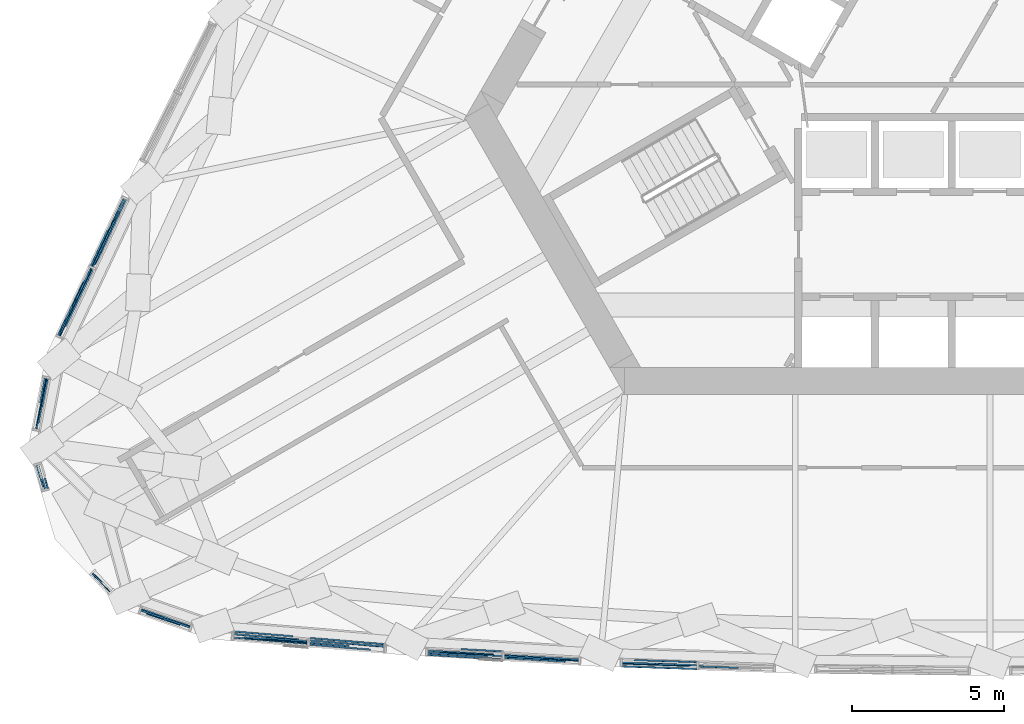
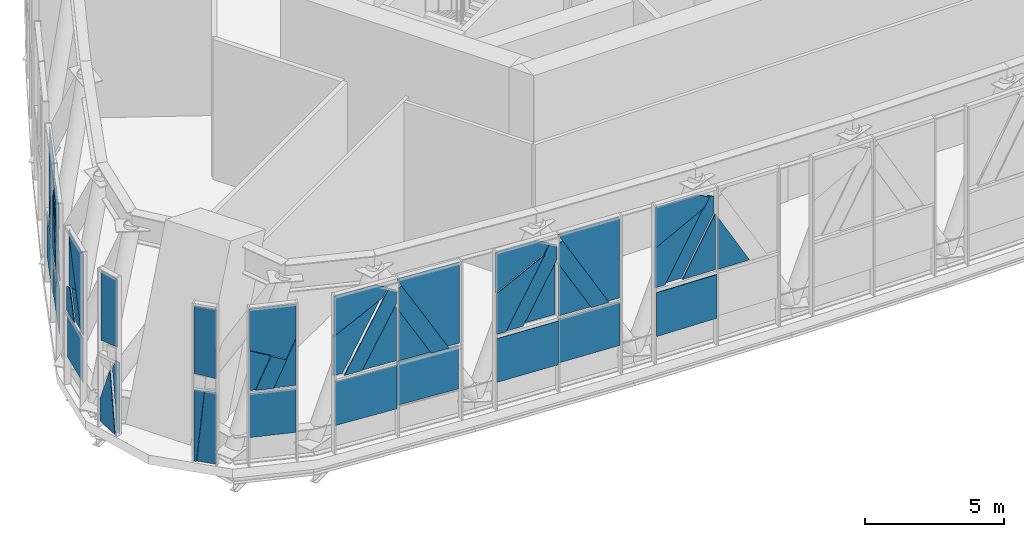
# One storey, part 12 of 33: 49 plates, 3 elements without a shape of their own.
"""IFC4 building model written with IfcOpenShell, lengths in metres."""

from ifc_helpers import new_model, si_unit, direction, frame, origin, place, context, subcontext, project, spatial, polyline, outline, extrude, material, layer, layer_set, type_object, element, aggregate, save


model = new_model("IFC4")

# Units and contexts
model_context = context("Model", 3, precision=1e-05, world=origin(), true_north=direction((0.0, 1.0)))
body_context = subcontext(model_context, "Body", "Model", "MODEL_VIEW")
ifc_project = project(units=[si_unit("LENGTHUNIT", "METRE"), si_unit("AREAUNIT", "SQUARE_METRE"), si_unit("VOLUMEUNIT", "CUBIC_METRE"), si_unit("PLANEANGLEUNIT", "RADIAN"), si_unit("MASSUNIT", "GRAM", prefix="KILO")], contexts=[model_context])

# Site, building, storey
site_placement = place(None, origin())
site = spatial("IfcSite", under=ifc_project, at=site_placement, CompositionType="ELEMENT")
building_placement = place(site_placement, origin())
building = spatial("IfcBuilding", under=site, at=building_placement, Name="Mestral Congress Tower", CompositionType="ELEMENT")
storey_placement = place(building_placement, frame((0.0, 0.0, 134.39990234375)))
storey = spatial("IfcBuildingStorey", under=building, at=storey_placement, Name="L32", CompositionType="ELEMENT", Elevation=134.39990234375)

# Curtain wall, plates
ifc_material_1 = material(Name="Clear low-emissivity double glazing", Category="glass")
curtain_wall_type = type_object("IfcCurtainWallType", Name="Facade sky lobby curtain wall", PredefinedType="USERDEFINED", material=ifc_material_1)
placement = place(storey_placement, origin())
curtain_wall_1 = element("IfcCurtainWall", 1, at=placement, inside=storey, type_object=curtain_wall_type, Name="Facade sky lobby curtain wall face 1", ObjectType="CURTAIN WALL", PredefinedType="USERDEFINED")
ifc_material_2 = material(Name="Anodised aluminium", Category="aluminium")
ifc_layer_1 = layer(ifc_material_2, 0.031982421875)
ifc_layer_set_1 = layer_set([ifc_layer_1], Name="Anodised aluminium")
plate_type_1 = type_object("IfcPlateType", Name="Facade sky lobby curtain wall brace cover panel", PredefinedType="CURTAIN_PANEL", material=ifc_layer_set_1)
plate_1_placement = place(storey_placement, frame((-22.435302734375, -21.20556640625, 3.130126953125), z_axis=(-0.081765695139, -0.996649491297, 0.002040244088), x_axis=(-0.000127290977, -0.002036655637, -0.999997917913)))
plate_1 = element("IfcPlate", 2, at=plate_1_placement, type_object=plate_type_1, Name="Facade sky lobby curtain wall brace cover panel", PredefinedType="CURTAIN_PANEL", context=body_context, shape_type="SweptSolid", body=[
    extrude(outline(polyline([(0.0, 0.0), (1.9179727433856482, 1.3552527156068805e-20), (1.917875037615939, -2.463326409889146), (-9.770576970923516e-05, -2.463326409889146), (0.0, 0.0)])), origin(), (0.0, 0.0, -1.0), 0.031982421875),
])
plate_2_placement = place(storey_placement, frame((-22.431884765625, -21.166259765625, 5.819091796875), z_axis=(-0.081906010452, -0.996637894013, 0.002076937265), x_axis=(-0.473113221375, 0.037047206491, -0.880222349325)))
plate_2 = element("IfcPlate", 3, at=plate_2_placement, type_object=plate_type_1, Name="Facade sky lobby curtain wall brace cover panel", PredefinedType="CURTAIN_PANEL", context=body_context, shape_type="SweptSolid", body=[
    extrude(outline(polyline([(0.0, 0.0), (2.8959415701438793, 2.220446049250313e-16), (3.2312049291240106, -0.6218564333681975), (-0.5014681729991254, -0.6219879993595873), (-0.5015358336180039, -0.2704854106180785), (0.0, 0.0)])), origin(), (0.0, 0.0, -1.0), 0.031982421875),
])
plate_3_placement = place(storey_placement, frame((-19.90478515625, -21.224609375, 3.130126953125), z_axis=(-0.08176167669, -0.99665006259, 0.001918583688), x_axis=(-0.000254156544, -0.001904178762, -0.999998154752)))
plate_3 = element("IfcPlate", 4, at=plate_3_placement, type_object=plate_type_1, Name="Facade sky lobby curtain wall brace cover panel", PredefinedType="CURTAIN_PANEL", context=body_context, shape_type="SweptSolid", body=[
    extrude(outline(polyline([(0.0, 0.0), (1.9179723082830478, 0.0), (1.9182127503552557, -2.4633264000720168), (0.00024050412214545483, -2.4635697232841385), (0.0, 0.0)])), origin(), (0.0, 0.0, -1.0), 0.031982421875),
])
plate_4_placement = place(storey_placement, frame((-22.377197265625, -21.233642578125, 6.497802734375), z_axis=(-0.081736087106, -0.996651926836, 0.002036860067), x_axis=(0.864090235632, -0.069845895867, 0.498467266243)))
plate_4 = element("IfcPlate", 5, at=plate_4_placement, type_object=plate_type_1, Name="Facade sky lobby curtain wall brace cover panel", PredefinedType="CURTAIN_PANEL", context=body_context, shape_type="SweptSolid", body=[
    extrude(outline(polyline([(0.0, 0.0), (0.12685400146654524, 0.0), (0.12393192353799454, -3.794596751440589), (-0.49721723521005945, -3.437438609651242), (-0.4951343169299804, -0.860941771760009), (0.0, 0.0)])), origin(), (0.0, 0.0, -1.0), 0.031982421875),
])
plate_5_placement = place(storey_placement, frame((-16.043701171875, -21.715576171875, 3.130126953125), z_axis=(-0.058448492268, -0.998288339933, 0.00204061379), x_axis=(-0.000127290977, -0.002036655637, -0.999997917913)))
plate_5 = element("IfcPlate", 6, at=plate_5_placement, type_object=plate_type_1, Name="Facade sky lobby curtain wall brace cover panel", PredefinedType="CURTAIN_PANEL", context=body_context, shape_type="SweptSolid", body=[
    extrude(outline(polyline([(0.0, 0.0), (1.9179727433856482, 2.0328790734103208e-20), (1.9179925082932612, -2.460260703781247), (1.976490761293687e-05, -2.4602607037812465), (0.0, 0.0)])), origin(), (0.0, 0.0, -1.0), 0.031982421875),
])
plate_6_placement = place(storey_placement, frame((-16.037841796875, -21.616455078125, 5.773681640625), z_axis=(-0.058338559725, -0.998294999034, 0.001925448618), x_axis=(-0.47739120886, 0.026203871545, -0.878300057395)))
plate_6 = element("IfcPlate", 7, at=plate_6_placement, type_object=plate_type_1, Name="Facade sky lobby curtain wall brace cover panel", PredefinedType="CURTAIN_PANEL", context=body_context, shape_type="SweptSolid", body=[
    extrude(outline(polyline([(0.0, 0.0), (2.8505771658836307, 4.440892098500626e-16), (3.188722632268942, -0.6211869554027831), (-0.5469524176668448, -0.6211079663703887), (-0.5469756901991519, -0.2978293639218027), (0.0, 0.0)])), origin(), (0.0, 0.0, -1.0), 0.031982421875),
])
plate_7_placement = place(storey_placement, frame((-13.5224609375, -21.76904296875, 3.130126953125), z_axis=(-0.058451387925, -0.99828817799, 0.002036893653), x_axis=(-0.000127073528, -0.002032941838, -0.999997925498)))
plate_7 = element("IfcPlate", 8, at=plate_7_placement, type_object=plate_type_1, Name="Facade sky lobby curtain wall brace cover panel", PredefinedType="CURTAIN_PANEL", context=body_context, shape_type="SweptSolid", body=[
    extrude(outline(polyline([(0.0, 0.0), (1.9179727433723763, 0.0), (1.9179924772296348, -2.46001698056584), (1.9764881069014373e-05, -2.4602607037709), (0.0, 0.0)])), origin(), (0.0, 0.0, -1.0), 0.031982421875),
])
plate_8_placement = place(storey_placement, frame((-15.981201171875, -21.672607421875, 6.474853515625), z_axis=(-0.058570101474, -0.998281418044, 0.001937421137), x_axis=(0.868176009687, -0.049978479774, 0.493733296186)))
plate_8 = element("IfcPlate", 9, at=plate_8_placement, type_object=plate_type_1, Name="Facade sky lobby curtain wall brace cover panel", PredefinedType="CURTAIN_PANEL", context=body_context, shape_type="SweptSolid", body=[
    extrude(outline(polyline([(0.0, 0.0), (0.16169464923233298, -1.3877787807814457e-17), (0.16444421429716116, -3.778729332627302), (-0.45634487074156094, -3.4262682440269843), (-0.45796793851298634, -0.8068205191558192), (0.0, 0.0)])), origin(), (0.0, 0.0, -1.0), 0.031982421875),
])
plate_9_placement = place(storey_placement, frame((-9.642578125, -22.039794921875, 3.130126953125), z_axis=(-0.035029552584, -0.999384204182, 0.002035405711), x_axis=(0.0, -0.002036655654, -0.999997926015)))
plate_9 = element("IfcPlate", 10, at=plate_9_placement, type_object=plate_type_1, Name="Facade sky lobby curtain wall brace cover panel", PredefinedType="CURTAIN_PANEL", context=body_context, shape_type="SweptSolid", body=[
    extrude(outline(polyline([(0.0, 0.0), (1.917972727847199, 0.0), (1.9177972055215664, -2.4602501467345066), (-0.00017552232563247701, -2.4602501467345066), (0.0, 0.0)])), origin(), (0.0, 0.0, -1.0), 0.031982421875),
])
plate_10_placement = place(storey_placement, frame((-9.634765625, -21.81494140625, 5.726318359375), z_axis=(-0.03507955487, -0.999382533056, 0.001994354959), x_axis=(-0.481225065563, 0.01514252623, -0.876466280112)))
plate_10 = element("IfcPlate", 11, at=plate_10_placement, type_object=plate_type_1, Name="Facade sky lobby curtain wall brace cover panel", PredefinedType="CURTAIN_PANEL", context=body_context, shape_type="SweptSolid", body=[
    extrude(outline(polyline([(0.0, 0.0), (2.8025022719580694, 2.220446049250313e-16), (3.1431168190822634, -0.6200668676428391), (-0.5969715231913139, -0.6200987041401281), (-0.5968920819497244, -0.32765432478420065), (0.0, 0.0)])), origin(), (0.0, 0.0, -1.0), 0.031982421875),
])

curtain_wall_2 = element("IfcCurtainWall", 12, at=placement, inside=storey, type_object=curtain_wall_type, Name="Facade sky lobby curtain wall face 3", ObjectType="CURTAIN WALL", PredefinedType="USERDEFINED")
plate_11_placement = place(storey_placement, frame((-29.556396484375, -8.7724609375, 3.130126953125), z_axis=(-0.904003165932, 0.42752084818, 0.002049477068), x_axis=(-0.001857351931, 0.000866439002, -0.999997899761)))
plate_11 = element("IfcPlate", 13, at=plate_11_placement, type_object=plate_type_1, Name="Facade sky lobby curtain wall brace cover panel", PredefinedType="CURTAIN_PANEL", context=body_context, shape_type="SweptSolid", body=[
    extrude(outline(polyline([(0.0, 0.0), (1.9179730043646805, 4.0318768289304696e-19), (1.9179461913538762, -2.463320069636387), (-2.635955574302679e-05, -2.4632156942149925), (0.0, 0.0)])), origin(), (0.0, 0.0, -1.0), 0.031982421875),
])
plate_12_placement = place(storey_placement, frame((-29.521484375, -8.7890625, 5.504638671875), z_axis=(-0.903945532678, 0.427642558694, 0.002077485286), x_axis=(0.211243987428, 0.450738262258, -0.867300983922)))
plate_12 = element("IfcPlate", 14, at=plate_12_placement, type_object=plate_type_1, Name="Facade sky lobby curtain wall brace cover panel", PredefinedType="CURTAIN_PANEL", context=body_context, shape_type="SweptSolid", body=[
    extrude(outline(polyline([(0.0, 0.0), (2.576521159027551, 2.220446049250313e-16), (2.9331910354905135, -0.6214396774176463), (-0.8613899067396906, -0.6213835204439402), (-0.861553029895961, -0.49456005646488227), (0.0, 0.0)])), origin(), (0.0, 0.0, -1.0), 0.031982421875),
])
plate_13_placement = place(storey_placement, frame((-30.6044921875, -11.068115234375, 3.130126953125), z_axis=(-0.904022423087, 0.427480398068, 0.0019919395), x_axis=(-0.001782073856, 0.000891036928, -0.999998015131)))
plate_13 = element("IfcPlate", 15, at=plate_13_placement, type_object=plate_type_1, Name="Facade sky lobby curtain wall brace cover panel", PredefinedType="CURTAIN_PANEL", context=body_context, shape_type="SweptSolid", body=[
    extrude(outline(polyline([(0.0, 0.0), (1.9179725569242465, -4.0657581468206416e-20), (1.918080238388927, -2.4632156944742225), (0.00010768146468056344, -2.463215694474223), (0.0, 0.0)])), origin(), (0.0, 0.0, -1.0), 0.031982421875),
])
plate_14_placement = place(storey_placement, frame((-30.10791015625, -10.09814453125, 3.27001953125), z_axis=(-0.904023555196, 0.427478043554, 0.001983413657), x_axis=(0.204427909564, 0.428236650154, 0.880240081601)))
plate_14 = element("IfcPlate", 16, at=plate_14_placement, type_object=plate_type_1, Name="Facade sky lobby curtain wall brace cover panel", PredefinedType="CURTAIN_PANEL", context=body_context, shape_type="SweptSolid", body=[
    extrude(outline(polyline([(0.0, 0.0), (2.7730139180173676, -2.220446049250313e-16), (3.1016301505866424, -0.5300258919935805), (2.9536704551670456, -0.6218445093813607), (-0.33524033225903127, -0.6218688472921208), (0.0, 0.0)])), origin(), (0.0, 0.0, -1.0), 0.031982421875),
])

curtain_wall_3 = element("IfcCurtainWall", 17, at=placement, inside=storey, type_object=curtain_wall_type, Name="Facade sky lobby curtain wall corner 3", ObjectType="CURTAIN WALL", PredefinedType="USERDEFINED")
plate_15_placement = place(storey_placement, frame((-31.3857421875, -14.1279296875, 3.130126953125), z_axis=(-0.981697804288, 0.190434719682, 0.00200962578), x_axis=(-0.001970702135, 0.000393771489, -0.999997980637)))
plate_15 = element("IfcPlate", 18, at=plate_15_placement, type_object=plate_type_1, Name="Facade sky lobby curtain wall brace cover panel", PredefinedType="CURTAIN_PANEL", context=body_context, shape_type="SweptSolid", body=[
    extrude(outline(polyline([(0.0, 0.0), (1.9179723822575587, -6.437450399132683e-20), (1.9179917817334786, -1.6992873912891162), (1.8918347469007598e-05, -1.6993338842399115), (0.0, 0.0)])), origin(), (0.0, 0.0, -1.0), 0.031982421875),
])
plate_16_placement = place(storey_placement, frame((-31.185302734375, -13.275390625, 3.27001953125), z_axis=(-0.981710029597, 0.19037064764, 0.002105779167), x_axis=(0.073161931132, 0.367026390265, 0.927328938771)))
plate_16 = element("IfcPlate", 19, at=plate_16_placement, type_object=plate_type_1, Name="Facade sky lobby curtain wall brace cover panel", PredefinedType="CURTAIN_PANEL", context=body_context, shape_type="SweptSolid", body=[
    extrude(outline(polyline([(0.0, 0.0), (1.283718510794276, -1.1102230246251565e-16), (1.2837219698805185, -0.6190833658252018), (-0.2497190359378746, -0.6187753206843056), (0.0, 0.0)])), origin(), (0.0, 0.0, -1.0), 0.031982421875),
])
plate_17_placement = place(storey_placement, frame((-31.0322265625, -15.99951171875, 0.0), z_axis=(-0.959571222828, -0.281458698897, 0.002017209605), x_axis=(-0.024667288175, 0.091232570404, 0.995524054452)))
plate_17 = element("IfcPlate", 20, at=plate_17_placement, type_object=plate_type_1, Name="Facade sky lobby curtain wall brace cover panel", PredefinedType="CURTAIN_PANEL", context=body_context, shape_type="SweptSolid", body=[
    extrude(outline(polyline([(0.0, 0.0), (2.708411585832827, -5.551115123125783e-17), (3.1267498514386207, -0.18385756143878657), (3.1077565551798974, -0.3839742014666778), (0.00011892369164288527, -0.08917972260087713), (0.0, 0.0)])), origin(), (0.0, 0.0, -1.0), 0.031982421875),
])
plate_18_placement = place(storey_placement, frame((-29.52587890625, -18.89892578125, 3.130126953125), z_axis=(-0.723352763614, -0.690475798981, 0.001987559909), x_axis=(0.690477162745, -0.723354192445, -4.5249e-08)))
plate_18 = element("IfcPlate", 21, at=plate_18_placement, type_object=plate_type_1, Name="Facade sky lobby curtain wall brace cover panel", PredefinedType="CURTAIN_PANEL", context=body_context, shape_type="SweptSolid", body=[
    extrude(outline(polyline([(0.0, 0.0), (0.38576768225569213, -1.0842021724855044e-19), (0.08890241385228652, -3.1301331317385133), (0.00014462038409020816, -3.121588214457586), (0.0, 0.0)])), origin(), (0.0, 0.0, -1.0), 0.031982421875),
])
plate_19_placement = place(storey_placement, frame((-26.321533203125, -20.670654296875, 3.130126953125), z_axis=(-0.325994450892, -0.94536954027, 0.002012540142), x_axis=(-0.000636454923, -0.001909364768, -0.999997974624)))
plate_19 = element("IfcPlate", 22, at=plate_19_placement, type_object=plate_type_1, Name="Facade sky lobby curtain wall brace cover panel", PredefinedType="CURTAIN_PANEL", context=body_context, shape_type="SweptSolid", body=[
    extrude(outline(polyline([(0.0, 0.0), (1.9179726346164996, 4.0657581468206416e-19), (1.9179373623344038, -1.6992741889964562), (-3.527228209572182e-05, -1.6992741889964562), (0.0, 0.0)])), origin(), (0.0, 0.0, -1.0), 0.031982421875),
])
plate_20_placement = place(storey_placement, frame((-27.742431640625, -20.21630859375, 3.27001953125), z_axis=(-0.325949088892, -0.945385241731, 0.001983977676), x_axis=(0.354245998001, -0.120190396006, 0.927396377828)))
plate_20 = element("IfcPlate", 23, at=plate_20_placement, type_object=plate_type_1, Name="Facade sky lobby curtain wall brace cover panel", PredefinedType="CURTAIN_PANEL", context=body_context, shape_type="SweptSolid", body=[
    extrude(outline(polyline([(0.0, 0.0), (1.5334533680136522, 1.1102230246251565e-16), (1.5332926427040654, -0.6189679195185485), (0.24962434122940758, -0.6188620475124249), (0.0, 0.0)])), origin(), (0.0, 0.0, -1.0), 0.031982421875),
])

# Plate
ifc_layer_2 = layer(ifc_material_1, 0.031982421875)
ifc_layer_set_2 = layer_set([ifc_layer_2], Name="Clear low-emissivity double glazing")
plate_type_2 = type_object("IfcPlateType", Name="Facade sky lobby curtain wall panel", PredefinedType="CURTAIN_PANEL", material=ifc_layer_set_2)
plate_21_placement = place(storey_placement, frame((-23.79931640625, -21.025146484375, 3.27001953125), z_axis=(-0.081665260202, -0.996657886865, 0.00196005763), x_axis=(0.473125226078, -0.037036399759, 0.880216351553)))
plate_21 = element("IfcPlate", 24, at=plate_21_placement, type_object=plate_type_2, Name="Sky lobby glass unit", PredefinedType="CURTAIN_PANEL", context=body_context, shape_type="SweptSolid", body=[
    extrude(outline(polyline([(0.0, 0.0), (2.77308846974367, 0.0), (2.7111486048032116, -0.09963998414177322), (0.6521653472129638, -1.2096181370338899), (0.0, 0.0)])), origin(), (0.0, 0.0, -1.0), 0.031982421875),
])

plate_22_placement = place(storey_placement, frame((-24.88134765625, -20.89501953125, 6.81005859375), z_axis=(-0.081837970662, -0.996643474963, 0.002080954337), x_axis=(0.996645632882, -0.081838147936, -3.7926e-08)))
plate_22 = element("IfcPlate", 25, at=plate_22_placement, type_object=plate_type_2, Name="Sky lobby glass unit", PredefinedType="CURTAIN_PANEL", context=body_context, shape_type="SweptSolid", body=[
    extrude(outline(polyline([(0.0, 0.0), (1.6821587588953522, 5.421010862427522e-20), (2.1539931417369798, -0.2543948988854248), (1.9433978440055182, -0.6450208928793416), (5.6445320916235954e-05, -1.7602577316648638), (0.0, 0.0)])), origin(), (0.0, 0.0, -1.0), 0.031982421875),
])

plate_23_placement = place(storey_placement, frame((-22.93701171875, -20.963623046875, 6.1650390625), z_axis=(-0.08178638511, -0.996647799638, 0.002037323483), x_axis=(-0.473080909914, 0.037022348643, -0.880240761597)))
plate_23 = element("IfcPlate", 26, at=plate_23_placement, type_object=plate_type_2, Name="Sky lobby glass unit", PredefinedType="CURTAIN_PANEL", context=body_context, shape_type="SweptSolid", body=[
    extrude(outline(polyline([(0.0, 0.0), (3.288894956510127, 0.0), (3.4705756993863788, -0.33701775256449396), (1.903840841322364, -1.1814055380825104), (0.0, 0.0)])), origin(), (0.0, 0.0, -1.0), 0.031982421875),
])

plate_24_placement = place(storey_placement, frame((-22.366455078125, -21.101318359375, 6.81005859375), z_axis=(-0.081678075679, -0.996656633998, 0.002060548799), x_axis=(0.996658749807, -0.081678249448, -1.81143e-07)))
plate_24 = element("IfcPlate", 27, at=plate_24_placement, type_object=plate_type_2, Name="Sky lobby glass unit", PredefinedType="CURTAIN_PANEL", context=body_context, shape_type="SweptSolid", body=[
    extrude(outline(polyline([(0.0, 0.0), (2.4633264023083323, 0.0), (2.4634186821688497, -3.5400461694980545), (1.9989838388342, -3.540046444718139), (1.995132737379273e-05, -0.057129286348360626), (0.0, 0.0)])), origin(), (0.0, 0.0, -1.0), 0.031982421875),
])

plate_25_placement = place(storey_placement, frame((-22.37255859375, -21.17626953125, 3.27001953125), z_axis=(-0.081863588813, -0.996641598685, 0.00196890772), x_axis=(0.000109253585, 0.001966564524, 0.999998060342)))
plate_25 = element("IfcPlate", 28, at=plate_25_placement, type_object=plate_type_2, Name="Sky lobby glass unit", PredefinedType="CURTAIN_PANEL", context=body_context, shape_type="SweptSolid", body=[
    extrude(outline(polyline([(0.0, 0.0), (2.23462347503045, 2.710505431213761e-20), (-6.68164622947582e-05, -1.2823804410038329), (0.0, 0.0)])), origin(), (0.0, 0.0, -1.0), 0.031982421875),
])

plate_26_placement = place(storey_placement, frame((-16.3193359375, -21.564453125, 6.551025390625), z_axis=(-0.058461769249, -0.99828771943, 0.001962338536), x_axis=(-0.477499565749, 0.02623699, -0.87824016366)))
plate_26 = element("IfcPlate", 29, at=plate_26_placement, type_object=plate_type_2, Name="Sky lobby glass unit", PredefinedType="CURTAIN_PANEL", context=body_context, shape_type="SweptSolid", body=[
    extrude(outline(polyline([(0.0, 0.0), (0.44839547818974346, -2.7755575615628914e-17), (2.3661874890760197, -1.189428563408672), (0.8131592451565852, -2.0350272885667122), (0.0001086015977611321, -0.5418653074962956), (0.0, 0.0)])), origin(), (0.0, 0.0, -1.0), 0.031982421875),
])

plate_27_placement = place(storey_placement, frame((-18.49609375, -21.51171875, 3.27001953125), z_axis=(-0.058455988788, -0.998287965535, 0.002008791258), x_axis=(-3.194019e-06, 0.002012419231, 0.999997975077)))
plate_27 = element("IfcPlate", 30, at=plate_27_placement, type_object=plate_type_2, Name="Sky lobby glass unit", PredefinedType="CURTAIN_PANEL", context=body_context, shape_type="SweptSolid", body=[
    extrude(outline(polyline([(0.0, 0.0), (1.7717322977109866, 2.710505431213761e-20), (2.8869758028983297, -1.9621046807085893), (-4.6935900619572284e-05, -0.39006565527204334), (0.0, 0.0)])), origin(), (0.0, 0.0, -1.0), 0.031982421875),
])

plate_28_placement = place(storey_placement, frame((-17.389892578125, -21.38818359375, 3.27001953125), z_axis=(-0.058309038803, -0.99829657351, 0.002001827113), x_axis=(0.477428935213, -0.026124755374, 0.878281907464)))
plate_28 = element("IfcPlate", 31, at=plate_28_placement, type_object=plate_type_2, Name="Sky lobby glass unit", PredefinedType="CURTAIN_PANEL", context=body_context, shape_type="SweptSolid", body=[
    extrude(outline(polyline([(0.0, 0.0), (2.780308089918506, 0.0), (2.7442227038475613, -0.057792383911501544), (0.6516670229961112, -1.1970318657042573), (0.0, 0.0)])), origin(), (0.0, 0.0, -1.0), 0.031982421875),
])

plate_29_placement = place(storey_placement, frame((-15.975830078125, -21.583984375, 6.81005859375), z_axis=(-0.058446626828, -0.998288511319, 0.00200997062), x_axis=(0.998290527857, -0.058446744921, -1.5422e-08)))
plate_29 = element("IfcPlate", 32, at=plate_29_placement, type_object=plate_type_2, Name="Sky lobby glass unit", PredefinedType="CURTAIN_PANEL", context=body_context, shape_type="SweptSolid", body=[
    extrude(outline(polyline([(0.0, 0.0), (2.460016980582924, 0.0), (2.45994339615187, -3.5400461754304513), (2.008489157168792, -3.5400462203321355), (0.0, 0.0)])), origin(), (0.0, 0.0, -1.0), 0.031982421875),
])

plate_30_placement = place(storey_placement, frame((-15.978271484375, -21.625, 3.27001953125), z_axis=(-0.058456599676, -0.998287866729, 0.00203987628), x_axis=(0.000107215388, 0.002037092363, 0.999997919378)))
plate_30 = element("IfcPlate", 33, at=plate_30_placement, type_object=plate_type_2, Name="Sky lobby glass unit", PredefinedType="CURTAIN_PANEL", context=body_context, shape_type="SweptSolid", body=[
    extrude(outline(polyline([(0.0, 0.0), (2.27710434716927, 0.0), (-1.560067650404083e-05, -1.2946944690620075), (0.0, 0.0)])), origin(), (0.0, 0.0, -1.0), 0.031982421875),
])

plate_31_placement = place(storey_placement, frame((-12.09814453125, -21.8623046875, 6.81005859375), z_axis=(-0.035089730934, -0.999382251161, 0.001956232801), x_axis=(0.999384163393, -0.035089798507, -2.20385e-07)))
plate_31 = element("IfcPlate", 34, at=plate_31_placement, type_object=plate_type_2, Name="Sky lobby glass unit", PredefinedType="CURTAIN_PANEL", context=body_context, shape_type="SweptSolid", body=[
    extrude(outline(polyline([(0.0, 0.0), (1.7269003932747145, 1.3552527156068805e-20), (2.2040131358223625, -0.2619629655279718), (1.987109987715006, -0.6572274462123961), (0.0001288943263052875, -1.777103368526097), (0.0, 0.0)])), origin(), (0.0, 0.0, -1.0), 0.031982421875),
])

plate_32_placement = place(storey_placement, frame((-10.111083984375, -21.8994140625, 6.15283203125), z_axis=(-0.035182343406, -0.999378778453, 0.002063950174), x_axis=(-0.481271054514, 0.015132713316, -0.876441197728)))
plate_32 = element("IfcPlate", 35, at=plate_32_placement, type_object=plate_type_2, Name="Sky lobby glass unit", PredefinedType="CURTAIN_PANEL", context=body_context, shape_type="SweptSolid", body=[
    extrude(outline(polyline([(0.0, 0.0), (3.2892251596084057, -2.220446049250313e-16), (3.483428335481007, -0.35349121057122157), (1.938253489497212, -1.202257185669795), (0.0, 0.0)])), origin(), (0.0, 0.0, -1.0), 0.031982421875),
])

plate_33_placement = place(storey_placement, frame((-9.645751953125, -21.91650390625, 5.712890625), z_axis=(-0.035062130732, -0.999383148566, 0.001992322826), x_axis=(0.491251819265, -0.018970974362, -0.870810973863)))
plate_33 = element("IfcPlate", 36, at=plate_33_placement, type_object=plate_type_2, Name="Sky lobby glass unit", PredefinedType="CURTAIN_PANEL", context=body_context, shape_type="SweptSolid", body=[
    extrude(outline(polyline([(0.0, 0.0), (0.015420251930765544, -1.734723475976807e-18), (2.13097425525207, -1.1944236409083884), (1.467562036581661, -2.369546981720177), (0.0, 0.0)])), origin(), (0.0, 0.0, -1.0), 0.031982421875),
])

plate_34_placement = place(storey_placement, frame((-9.57958984375, -21.957763671875, 3.27001953125), z_axis=(-0.035239223247, -0.999376913239, 0.001995602875), x_axis=(0.0, 0.001996843102, 0.999998006307)))
plate_34 = element("IfcPlate", 37, at=plate_34_placement, type_object=plate_type_2, Name="Sky lobby glass unit", PredefinedType="CURTAIN_PANEL", context=body_context, shape_type="SweptSolid", body=[
    extrude(outline(polyline([(0.0, 0.0), (2.323002678229586, 2.710505431213761e-20), (-9.21394888582534e-05, -1.3094070152421664), (0.0, 0.0)])), origin(), (0.0, 0.0, -1.0), 0.031982421875),
])

aggregate(curtain_wall_1, [plate_1, plate_21, plate_22, plate_23, plate_2, plate_3, plate_24, plate_25, plate_4, plate_5, plate_26, plate_27, plate_28, plate_6, plate_7, plate_29, plate_30, plate_8, plate_9, plate_31, plate_32, plate_33, plate_10, plate_34])

plate_35_placement = place(storey_placement, frame((-28.441650390625, -6.57470703125, 3.27001953125), z_axis=(-0.903965524535, 0.427600380801, 0.002060289006), x_axis=(0.001870397113, -0.000864148261, 0.999997877429)))
plate_35 = element("IfcPlate", 38, at=plate_35_placement, type_object=plate_type_2, Name="Sky lobby glass unit", PredefinedType="CURTAIN_PANEL", context=body_context, shape_type="SweptSolid", body=[
    extrude(outline(polyline([(0.0, 0.0), (3.540045952837884, -1.6263032587282567e-19), (3.54001078710174, -1.9195723912220926), (3.2909785313355764, -2.3533323845768357), (-9.041110535109708e-06, -0.4643524128568865), (0.0, 0.0)])), origin(), (0.0, 0.0, -1.0), 0.031982421875),
])

plate_36_placement = place(storey_placement, frame((-29.5869140625, -8.758056640625, 3.27001953125), z_axis=(-0.904069203351, 0.427381630137, 0.001953912411), x_axis=(0.427382445963, 0.904070929122, 0.0)))
plate_36 = element("IfcPlate", 39, at=plate_36_placement, type_object=plate_type_2, Name="Sky lobby glass unit", PredefinedType="CURTAIN_PANEL", context=body_context, shape_type="SweptSolid", body=[
    extrude(outline(polyline([(0.0, 0.0), (1.2824478597619935, 0.0), (-9.630085389789609e-05, -2.2346234062723154), (0.0, 0.0)])), origin(), (0.0, 0.0, -1.0), 0.031982421875),
])

plate_37_placement = place(storey_placement, frame((-30.6318359375, -11.05517578125, 5.0498046875), z_axis=(-0.904009654703, 0.427507204365, 0.002033327153), x_axis=(0.37170385787, 0.783640149353, 0.497739247364)))
plate_37 = element("IfcPlate", 40, at=plate_37_placement, type_object=plate_type_2, Name="Sky lobby glass unit", PredefinedType="CURTAIN_PANEL", context=body_context, shape_type="SweptSolid", body=[
    extrude(outline(polyline([(0.0, 0.0), (2.240599290844846, 0.0), (2.8632142449918905, -0.3863834879754766), (0.8761792682494254, -1.5267009911220757), (0.0, 0.0)])), origin(), (0.0, 0.0, -1.0), 0.031982421875),
])

plate_38_placement = place(storey_placement, frame((-30.502197265625, -10.693115234375, 3.27001953125), z_axis=(-0.903999459431, 0.427529005408, 0.001981636468), x_axis=(0.2044312644, 0.428184721578, 0.880264563835)))
plate_38 = element("IfcPlate", 41, at=plate_38_placement, type_object=plate_type_2, Name="Sky lobby glass unit", PredefinedType="CURTAIN_PANEL", context=body_context, shape_type="SweptSolid", body=[
    extrude(outline(polyline([(0.0, 0.0), (3.288806243694008, 0.0), (1.3851343922945007, -1.1812964813051043), (-0.18156901797461242, -0.3368511931899788), (0.0, 0.0)])), origin(), (0.0, 0.0, -1.0), 0.031982421875),
])

plate_39_placement = place(storey_placement, frame((-29.6025390625, -8.881591796875, 5.7109375), z_axis=(-0.903903954358, 0.427731267811, 0.001898376462), x_axis=(-0.204480369902, -0.428211828038, -0.880239972197)))
plate_39 = element("IfcPlate", 42, at=plate_39_placement, type_object=plate_type_2, Name="Sky lobby glass unit", PredefinedType="CURTAIN_PANEL", context=body_context, shape_type="SweptSolid", body=[
    extrude(outline(polyline([(0.0, 0.0), (2.773013914187816, 0.0), (2.120932363550687, -1.2096064672548148), (0.061940750932621476, -0.09964414198327137), (0.0, 0.0)])), origin(), (0.0, 0.0, -1.0), 0.031982421875),
])

aggregate(curtain_wall_2, [plate_11, plate_35, plate_36, plate_12, plate_13, plate_37, plate_38, plate_39, plate_14])

plate_40_placement = place(storey_placement, frame((-31.37841796875, -14.12939453125, 6.81005859375), z_axis=(-0.981682996676, 0.190511373192, 0.00197755471), x_axis=(-0.001949434543, 0.000335014635, -0.999998043733)))
plate_40 = element("IfcPlate", 43, at=plate_40_placement, type_object=plate_type_2, Name="Sky lobby glass unit", PredefinedType="CURTAIN_PANEL", context=body_context, shape_type="SweptSolid", body=[
    extrude(outline(polyline([(0.0, 0.0), (3.540046348341263, 2.439454888092385e-19), (3.540037147756428, -0.20794482511807044), (-6.919365037126254e-05, -1.636132335299543), (0.0, 0.0)])), origin(), (0.0, 0.0, -1.0), 0.031982421875),
])

plate_41_placement = place(storey_placement, frame((-31.021484375, -12.531982421875, 6.81005859375), z_axis=(-0.981704265538, 0.190401229828, 0.002026500549), x_axis=(-0.073091810362, -0.366989586914, -0.927349033727)))
plate_41 = element("IfcPlate", 44, at=plate_41_placement, type_object=plate_type_2, Name="Sky lobby glass unit", PredefinedType="CURTAIN_PANEL", context=body_context, shape_type="SweptSolid", body=[
    extrude(outline(polyline([(0.0, 0.0), (2.2838434857779495, -2.220446049250313e-16), (2.2838716737850078, -0.9896925825048478), (-0.023632044380826424, -0.05856694044320821), (0.0, 0.0)])), origin(), (0.0, 0.0, -1.0), 0.031982421875),
])

plate_42_placement = place(storey_placement, frame((-31.09521484375, -12.453369140625, 3.27001953125), z_axis=(-0.981686787934, 0.190490244358, 0.002125370571), x_axis=(0.002118852465, -0.00023789286, 0.999997726933)))
plate_42 = element("IfcPlate", 45, at=plate_42_placement, type_object=plate_type_2, Name="Sky lobby glass unit", PredefinedType="CURTAIN_PANEL", context=body_context, shape_type="SweptSolid", body=[
    extrude(outline(polyline([(0.0, 0.0), (1.0517601355450492, -2.710505431213761e-20), (1.1903739004658578, -0.34390466121989016), (-0.00014020583221171587, -0.8239309397133037), (0.0, 0.0)])), origin(), (0.0, 0.0, -1.0), 0.031982421875),
])

plate_43_placement = place(storey_placement, frame((-31.1669921875, -16.01611328125, 0.0), z_axis=(-0.959651238012, -0.281186200489, 0.001955002898), x_axis=(-0.266331196828, 0.9111395066, 0.314471768382)))
plate_43 = element("IfcPlate", 46, at=plate_43_placement, type_object=plate_type_2, Name="Sky lobby glass unit", PredefinedType="CURTAIN_PANEL", context=body_context, shape_type="SweptSolid", body=[
    extrude(outline(polyline([(0.0, 0.0), (0.754612381747684, -2.7755575615628914e-17), (1.069384861184874, -0.9496838541293984), (1.0698600394594902, -2.485974449664221), (-0.02097837328976525, -0.006949463218797369), (0.0, 0.0)])), origin(), (0.0, 0.0, -1.0), 0.031982421875),
])

plate_44_placement = place(storey_placement, frame((-31.322998046875, -15.315185546875, 6.81005859375), z_axis=(-0.9596038115, -0.281347751623, 0.001991886583), x_axis=(0.281348309585, -0.959605715226, -9.3549e-08)))
plate_44 = element("IfcPlate", 47, at=plate_44_placement, type_object=plate_type_2, Name="Sky lobby glass unit", PredefinedType="CURTAIN_PANEL", context=body_context, shape_type="SweptSolid", body=[
    extrude(outline(polyline([(0.0, 0.0), (0.827100370906485, -1.0842021724855044e-19), (0.8271607628528493, -2.966070259859041), (-8.289251590572353e-06, -3.0446838518184838), (0.0, 0.0)])), origin(), (0.0, 0.0, -1.0), 0.031982421875),
])

plate_45_placement = place(storey_placement, frame((-28.934814453125, -19.478271484375, 0.0), z_axis=(-0.72346677091, -0.690356163546, 0.002049107824), x_axis=(-0.690357612999, 0.723468289681, -6.7299e-08)))
plate_45 = element("IfcPlate", 48, at=plate_45_placement, type_object=plate_type_2, Name="Sky lobby glass unit", PredefinedType="CURTAIN_PANEL", context=body_context, shape_type="SweptSolid", body=[
    extrude(outline(polyline([(0.0, 0.0), (0.738382644962035, 1.0842021724855044e-19), (0.4413495106558437, -3.1301335543039888), (-2.3249091673806625e-05, -3.130133474906883), (0.0, 0.0)])), origin(), (0.0, 0.0, -1.0), 0.031982421875),
])

plate_46_placement = place(storey_placement, frame((-29.5205078125, -18.89404296875, 6.81005859375), z_axis=(-0.723449920325, -0.690374018197, 0.001981862869), x_axis=(0.690375374056, -0.723451341071, 2.4946e-08)))
plate_46 = element("IfcPlate", 49, at=plate_46_placement, type_object=plate_type_2, Name="Sky lobby glass unit", PredefinedType="CURTAIN_PANEL", context=body_context, shape_type="SweptSolid", body=[
    extrude(outline(polyline([(0.0, 0.0), (0.827140438691734, -1.0842021724855044e-19), (0.8271090922469618, -3.0446837344386255), (0.00013720419163023721, -2.9660702575365603), (0.0, 0.0)])), origin(), (0.0, 0.0, -1.0), 0.031982421875),
])

plate_47_placement = place(storey_placement, frame((-26.3212890625, -20.67041015625, 3.27001953125), z_axis=(-0.326072172522, -0.945342756305, 0.002002850223), x_axis=(-0.945344652389, 0.326072826529, 0.0)))
plate_47 = element("IfcPlate", 50, at=plate_47_placement, type_object=plate_type_2, Name="Sky lobby glass unit", PredefinedType="CURTAIN_PANEL", context=body_context, shape_type="SweptSolid", body=[
    extrude(outline(polyline([(0.0, 0.0), (0.8243521270586611, 1.0842021724855044e-19), (0.00011973680725521217, -2.0424845653746075), (0.0, 0.0)])), origin(), (0.0, 0.0, -1.0), 0.031982421875),
])

plate_48_placement = place(storey_placement, frame((-26.30810546875, -20.631591796875, 6.81005859375), z_axis=(-0.325939762679, -0.945388465883, 0.001979818175), x_axis=(-0.000675544201, -0.001861274641, -0.999998039646)))
plate_48 = element("IfcPlate", 51, at=plate_48_placement, type_object=plate_type_2, Name="Sky lobby glass unit", PredefinedType="CURTAIN_PANEL", context=body_context, shape_type="SweptSolid", body=[
    extrude(outline(polyline([(0.0, 0.0), (1.497561316257124, 9.486769009248164e-20), (2.349624881356887, -0.3436080849645201), (1.8027921896970416, -1.6992565058596178), (5.416227629783418e-05, -1.6992741856539422), (0.0, 0.0)])), origin(), (0.0, 0.0, -1.0), 0.031982421875),
])

plate_49_placement = place(storey_placement, frame((-27.927978515625, -20.116455078125, 3.27001953125), z_axis=(-0.325811000748, -0.945432734612, 0.002033744403), x_axis=(0.000727934602, 0.001900263261, 0.999997929553)))
plate_49 = element("IfcPlate", 52, at=plate_49_placement, type_object=plate_type_2, Name="Sky lobby glass unit", PredefinedType="CURTAIN_PANEL", context=body_context, shape_type="SweptSolid", body=[
    extrude(outline(polyline([(0.0, 0.0), (1.7373080102041538, 9.486769009248164e-20), (1.4221760834327852, -0.7816034557314887), (1.4090373046055901e-05, -0.20792250216802455), (0.0, 0.0)])), origin(), (0.0, 0.0, -1.0), 0.031982421875),
])

aggregate(curtain_wall_3, [plate_15, plate_40, plate_41, plate_42, plate_16, plate_43, plate_17, plate_44, plate_45, plate_18, plate_46, plate_19, plate_47, plate_48, plate_49, plate_20])

save(model, "model.ifc")
